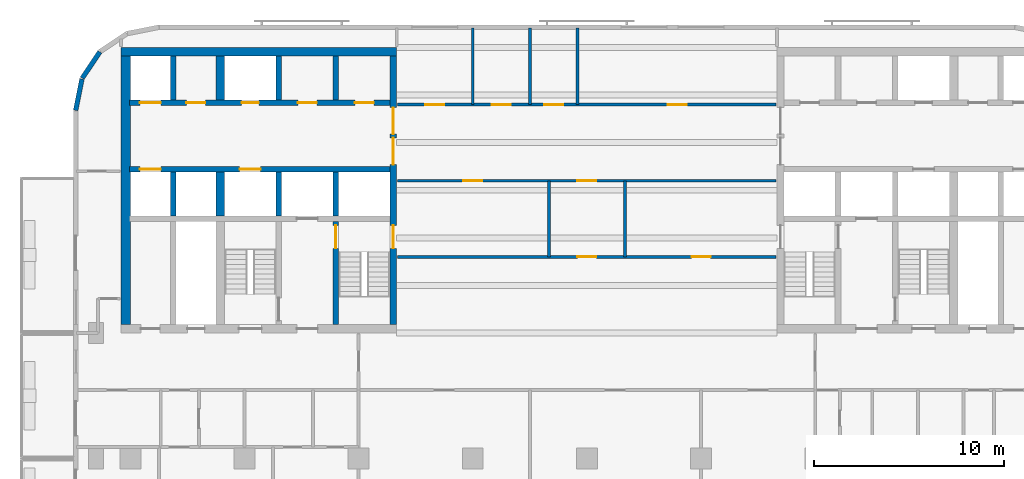
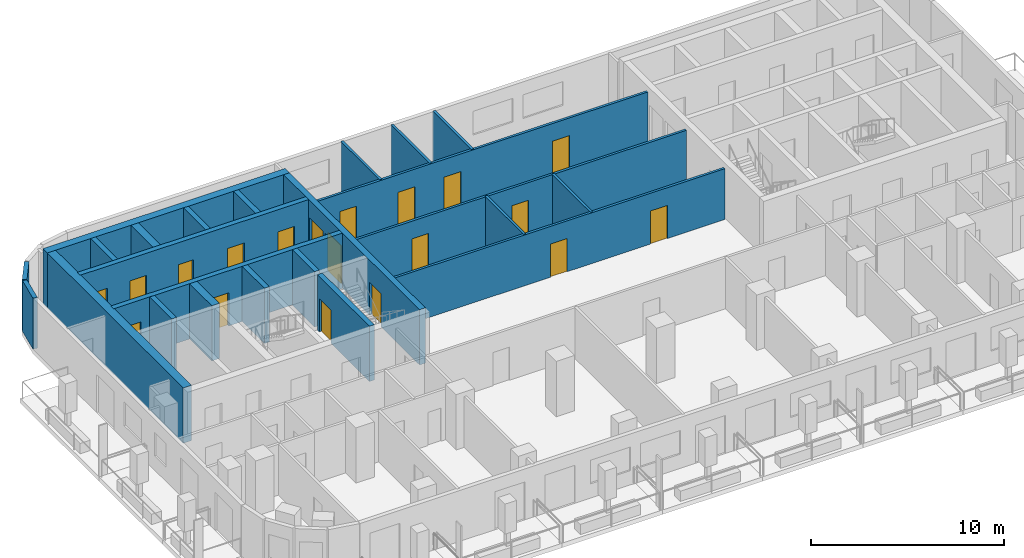
# One storey, part 4 of 11: 24 walls, 19 doors, 19 openings.
"""IFC4 building model written with IfcOpenShell, lengths in metres."""

from ifc_helpers import new_model, si_unit, direction, frame, frame_2d, origin, place, context, subcontext, project, spatial, rectangle, extrude, material, layer, layer_set, type_object, element, fill, save


model = new_model("IFC4")

# Units and contexts
model_context = context("Model", 3, precision=1e-05, world=origin(), true_north=direction((0.0, 1.0)))
body_context = subcontext(model_context, "Body", "Model", "MODEL_VIEW")
ifc_project = project(units=[si_unit("LENGTHUNIT", "METRE"), si_unit("AREAUNIT", "SQUARE_METRE"), si_unit("VOLUMEUNIT", "CUBIC_METRE"), si_unit("PLANEANGLEUNIT", "RADIAN"), si_unit("MASSUNIT", "GRAM", prefix="KILO")], contexts=[model_context])

# Site, building, storey
site_placement = place(None, origin())
site = spatial("IfcSite", under=ifc_project, at=site_placement, CompositionType="ELEMENT")
building_placement = place(site_placement, origin())
building = spatial("IfcBuilding", under=site, at=building_placement, Name="Torana Hotel and Residences", CompositionType="ELEMENT")
storey_placement = place(building_placement, frame((0.0, 0.0, 232.60009765625)))
storey = spatial("IfcBuildingStorey", under=building, at=storey_placement, Name="L61", CompositionType="ELEMENT", Elevation=232.60009765625)

# Wall, openings, doors
ifc_material_1 = material(Name="Concrete C70/85", Category="concrete")
ifc_layer_1 = layer(ifc_material_1, 0.300048828125)
ifc_layer_set_1 = layer_set([ifc_layer_1], Name="CORE WALL 300 C70/85")
wall_type_1 = type_object("IfcWallType", Name="CORE WALL 300 C70/85", PredefinedType="SHEAR", material=ifc_layer_set_1)
wall_1_placement = place(storey_placement, frame((-24.050048828125, -2.89990234375, 0.0), z_axis=(0.0, 0.0, 1.0), x_axis=(1.0, 0.0, 0.0)))
wall_1 = element("IfcWall", 1, at=wall_1_placement, inside=storey, type_object=wall_type_1, Name="Core wall W row-N", PredefinedType="SHEAR", context=body_context, shape_type="SweptSolid", body=[
    extrude(rectangle(XDim=13.699951171875, YDim=0.300048828125, at=frame_2d((6.85009765625, 0.0))), origin(), (0.0, 0.0, 1.0), 3.5),
])
opening_1_placement = place(wall_1_placement, frame((0.550048828125, 0.0, 0.0)))
opening_1 = element("IfcOpeningElement", 2, at=opening_1_placement, cuts=wall_1, Name="Opening LD", PredefinedType="OPENING", context=body_context, shape_type="SweptSolid", body=[
    extrude(rectangle(XDim=1.10009765625, YDim=2.10009765625, at=frame_2d((0.550048828125, 1.050048828125))), frame((0.0, 0.159912109375, 0.0), z_axis=(0.0, -1.0, 0.0), x_axis=(1.0, 0.0, 0.0)), (0.0, 0.0, 1.0), 0.320068359375),
])
opening_2_placement = place(wall_1_placement, frame((5.89990234375, 0.0, 0.0)))
opening_2 = element("IfcOpeningElement", 3, at=opening_2_placement, cuts=wall_1, Name="Opening L61-08", PredefinedType="OPENING", context=body_context, shape_type="SweptSolid", body=[
    extrude(rectangle(XDim=0.89990234375, YDim=2.10009765625, at=frame_2d((0.449951171875, 1.050048828125))), frame((0.0, 0.159912109375, 0.0), z_axis=(0.0, -1.0, 0.0), x_axis=(1.0, 0.0, 0.0)), (0.0, 0.0, 1.0), 0.320068359375),
])
opening_3_placement = place(wall_1_placement, frame((11.85009765625, 0.0, 0.0)))
opening_3 = element("IfcOpeningElement", 4, at=opening_3_placement, cuts=wall_1, Name="Opening L61-09", PredefinedType="OPENING", context=body_context, shape_type="SweptSolid", body=[
    extrude(rectangle(XDim=1.0, YDim=2.10009765625, at=frame_2d((0.5, 1.050048828125))), frame((0.0, 0.159912109375, 0.0), z_axis=(0.0, -1.0, 0.0), x_axis=(1.0, 0.0, 0.0)), (0.0, 0.0, 1.0), 0.320068359375),
])
opening_4_placement = place(wall_1_placement, frame((8.85009765625, 0.0, 0.0)))
opening_4 = element("IfcOpeningElement", 5, at=opening_4_placement, cuts=wall_1, Name="Opening L61-10", PredefinedType="OPENING", context=body_context, shape_type="SweptSolid", body=[
    extrude(rectangle(XDim=1.0, YDim=2.10009765625, at=frame_2d((0.5, 1.050048828125))), frame((0.0, 0.159912109375, 0.0), z_axis=(0.0, -1.0, 0.0), x_axis=(1.0, 0.0, 0.0)), (0.0, 0.0, 1.0), 0.320068359375),
])
opening_5_placement = place(wall_1_placement, frame((3.0, 0.0, 0.0)))
opening_5 = element("IfcOpeningElement", 6, at=opening_5_placement, cuts=wall_1, Name="Opening L61-11", PredefinedType="OPENING", context=body_context, shape_type="SweptSolid", body=[
    extrude(rectangle(XDim=1.0, YDim=2.10009765625, at=frame_2d((0.5, 1.050048828125))), frame((0.0, 0.159912109375, 0.0), z_axis=(0.0, -1.0, 0.0), x_axis=(1.0, 0.0, 0.0)), (0.0, 0.0, 1.0), 0.320068359375),
])
ifc_material_2 = material(Name="Steel S235", Category="steel")
door_type_1 = type_object("IfcDoorType", Name="CORE ROOM FIRE DOOR D14 1000x2100", OperationType="SINGLE_SWING_LEFT", PredefinedType="DOOR", material=ifc_material_2)
door_1_placement = place(opening_3_placement, origin())
door_1 = element("IfcDoor", 7, at=door_1_placement, inside=storey, type_object=door_type_1, Name="N0 door L61", OperationType="SINGLE_SWING_RIGHT", OverallHeight=2.10009765625, OverallWidth=1.0, PredefinedType="DOOR", context=body_context, shape_type="SweptSolid", body=[
    extrude(rectangle(XDim=1.0, YDim=2.10009765625, at=frame_2d((0.5, 1.050048828125))), frame((0.0, 0.02490234375, 0.0), z_axis=(0.0, -1.0, 0.0), x_axis=(1.0, 0.0, 0.0)), (0.0, 0.0, 1.0), 0.050048828125),
])
fill(opening_3, door_1)
door_2_placement = place(opening_4_placement, origin())
door_2 = element("IfcDoor", 8, at=door_2_placement, inside=storey, type_object=door_type_1, Name="N1 door L61", OperationType="SINGLE_SWING_RIGHT", OverallHeight=2.10009765625, OverallWidth=1.0, PredefinedType="DOOR", context=body_context, shape_type="SweptSolid", body=[
    extrude(rectangle(XDim=1.0, YDim=2.10009765625, at=frame_2d((0.5, 1.050048828125))), frame((0.0, 0.02490234375, 0.0), z_axis=(0.0, -1.0, 0.0), x_axis=(1.0, 0.0, 0.0)), (0.0, 0.0, 1.0), 0.050048828125),
])
fill(opening_4, door_2)
door_3_placement = place(opening_5_placement, origin())
door_3 = element("IfcDoor", 9, at=door_3_placement, inside=storey, type_object=door_type_1, Name="Freed-S1 door L61", OperationType="SINGLE_SWING_RIGHT", OverallHeight=2.10009765625, OverallWidth=1.0, PredefinedType="DOOR", context=body_context, shape_type="SweptSolid", body=[
    extrude(rectangle(XDim=1.0, YDim=2.10009765625, at=frame_2d((0.5, 1.050048828125))), frame((0.0, 0.02490234375, 0.0), z_axis=(0.0, -1.0, 0.0), x_axis=(1.0, 0.0, 0.0)), (0.0, 0.0, 1.0), 0.050048828125),
])
fill(opening_5, door_3)
ifc_material_3 = material(Name="Stainless steel 316", Category="steel")
door_type_2 = type_object("IfcDoorType", Name="LIFT LANDING DOOR LD 1100x2100", OperationType="DOUBLE_DOOR_SLIDING", PredefinedType="USERDEFINED", material=ifc_material_3)
door_4_placement = place(opening_1_placement, origin())
door_4 = element("IfcDoor", 10, at=door_4_placement, inside=storey, type_object=door_type_2, Name="Lift landing door M1 L61", ObjectType="LIFT LANDING DOOR", OperationType="DOUBLE_DOOR_SLIDING", OverallHeight=2.10009765625, OverallWidth=1.10009765625, PredefinedType="USERDEFINED", context=body_context, shape_type="SweptSolid", body=[
    extrude(rectangle(XDim=1.10009765625, YDim=2.10009765625, at=frame_2d((0.550048828125, 1.050048828125))), frame((0.0, 0.02490234375, 0.0), z_axis=(0.0, -1.0, 0.0), x_axis=(1.0, 0.0, 0.0)), (0.0, 0.0, 1.0), 0.050048828125),
])
fill(opening_1, door_4)
ifc_material_4 = material(Name="Steel S235", Category="steel")
door_type_3 = type_object("IfcDoorType", Name="RISER ACCESS DOOR D5 900x2100", OperationType="SINGLE_SWING_LEFT", PredefinedType="DOOR", material=ifc_material_4)
door_5_placement = place(opening_2_placement, origin())
door_5 = element("IfcDoor", 11, at=door_5_placement, inside=storey, type_object=door_type_3, Name="N2 door L61", OperationType="SINGLE_SWING_RIGHT", OverallHeight=2.10009765625, OverallWidth=0.89990234375, PredefinedType="DOOR", context=body_context, shape_type="SweptSolid", body=[
    extrude(rectangle(XDim=0.89990234375, YDim=2.10009765625, at=frame_2d((0.449951171875, 1.050048828125))), frame((0.0, 0.02490234375, 0.0), z_axis=(0.0, -1.0, 0.0), x_axis=(1.0, 0.0, 0.0)), (0.0, 0.0, 1.0), 0.050048828125),
])
fill(opening_2, door_5)

wall_2_placement = place(storey_placement, frame((-24.050048828125, -6.39990234375, 0.0), z_axis=(0.0, 0.0, 1.0), x_axis=(1.0, 0.0, 0.0)))
wall_2 = element("IfcWall", 12, at=wall_2_placement, inside=storey, type_object=wall_type_1, Name="Core wall W row-S", PredefinedType="SHEAR", context=body_context, shape_type="SweptSolid", body=[
    extrude(rectangle(XDim=13.699951171875, YDim=0.300048828125, at=frame_2d((6.85009765625, 0.0))), origin(), (0.0, 0.0, 1.0), 3.5),
])
opening_6_placement = place(wall_2_placement, frame((0.550048828125, 0.0, 0.0)))
opening_6 = element("IfcOpeningElement", 13, at=opening_6_placement, cuts=wall_2, Name="Opening LD", PredefinedType="OPENING", context=body_context, shape_type="SweptSolid", body=[
    extrude(rectangle(XDim=1.10009765625, YDim=2.10009765625, at=frame_2d((0.550048828125, 1.050048828125))), frame((0.0, 0.159912109375, 0.0), z_axis=(0.0, -1.0, 0.0), x_axis=(1.0, 0.0, 0.0)), (0.0, 0.0, 1.0), 0.320068359375),
])
opening_7_placement = place(wall_2_placement, frame((5.800048828125, 0.0, 0.0)))
opening_7 = element("IfcOpeningElement", 14, at=opening_7_placement, cuts=wall_2, Name="Opening LD", PredefinedType="OPENING", context=body_context, shape_type="SweptSolid", body=[
    extrude(rectangle(XDim=1.10009765625, YDim=2.10009765625, at=frame_2d((0.550048828125, 1.050048828125))), frame((0.0, 0.159912109375, 0.0), z_axis=(0.0, -1.0, 0.0), x_axis=(1.0, 0.0, 0.0)), (0.0, 0.0, 1.0), 0.320068359375),
])
door_6_placement = place(opening_6_placement, origin())
door_6 = element("IfcDoor", 15, at=door_6_placement, inside=storey, type_object=door_type_2, Name="Lift landing door M2 L61", ObjectType="LIFT LANDING DOOR", OperationType="DOUBLE_DOOR_SLIDING", OverallHeight=2.10009765625, OverallWidth=1.10009765625, PredefinedType="USERDEFINED", context=body_context, shape_type="SweptSolid", body=[
    extrude(rectangle(XDim=1.10009765625, YDim=2.10009765625, at=frame_2d((0.550048828125, 1.050048828125))), frame((0.0, 0.02490234375, 0.0), z_axis=(0.0, -1.0, 0.0), x_axis=(1.0, 0.0, 0.0)), (0.0, 0.0, 1.0), 0.050048828125),
])
fill(opening_6, door_6)
door_7_placement = place(opening_7_placement, origin())
door_7 = element("IfcDoor", 16, at=door_7_placement, inside=storey, type_object=door_type_2, Name="Lift landing door SV1 L61", ObjectType="LIFT LANDING DOOR", OperationType="DOUBLE_DOOR_SLIDING", OverallHeight=2.10009765625, OverallWidth=1.10009765625, PredefinedType="USERDEFINED", context=body_context, shape_type="SweptSolid", body=[
    extrude(rectangle(XDim=1.10009765625, YDim=2.10009765625, at=frame_2d((0.550048828125, 1.050048828125))), frame((0.0, 0.02490234375, 0.0), z_axis=(0.0, -1.0, 0.0), x_axis=(1.0, 0.0, 0.0)), (0.0, 0.0, 1.0), 0.050048828125),
])
fill(opening_7, door_7)

# Walls
for number, where, z_axis, x_axis, name in (
    (17, (-13.199951171875, -2.75, 0.0), (0.0, 0.0, 1.0), (0.0, 1.0, 0.0), "Core wall W x3.05-N"),
    (18, (-13.199951171875, -8.85009765625, 0.0), (0.0, 0.0, 1.0), (0.0, 1.0, 0.0), "Core wall W x3.05-S"),
):
    element("IfcWall", number, at=place(storey_placement, frame(where, z_axis=z_axis, x_axis=x_axis)), inside=storey, type_object=wall_type_1, Name=name, PredefinedType="SHEAR", context=body_context, shape_type="SweptSolid", body=[
        extrude(rectangle(XDim=2.300048828125, YDim=0.300048828125, at=frame_2d((1.14990234375, 0.0))), origin(), (0.0, 0.0, 1.0), 3.5),
    ])

# Wall, opening, door
wall_3_placement = place(storey_placement, frame((-13.199951171875, -14.550048828125, 0.0), z_axis=(0.0, 0.0, 1.0), x_axis=(0.0, 1.0, 0.0)))
wall_3 = element("IfcWall", 19, at=wall_3_placement, inside=storey, type_object=wall_type_1, Name="Core wall W x3.05-band", PredefinedType="SHEAR", context=body_context, shape_type="SweptSolid", body=[
    extrude(rectangle(XDim=5.400146484375, YDim=0.300048828125, at=frame_2d((2.7001953125, 0.0))), origin(), (0.0, 0.0, 1.0), 3.5),
])
opening_8_placement = place(wall_3_placement, frame((4.0, 0.0, 0.0)))
opening_8 = element("IfcOpeningElement", 20, at=opening_8_placement, cuts=wall_3, Name="Opening L61-12", PredefinedType="OPENING", context=body_context, shape_type="SweptSolid", body=[
    extrude(rectangle(XDim=1.199951171875, YDim=2.10009765625, at=frame_2d((0.60009765625, 1.050048828125))), frame((0.0, 0.159912109375, 0.0), z_axis=(0.0, -1.0, 0.0), x_axis=(1.0, 0.0, 0.0)), (0.0, 0.0, 1.0), 0.320068359375),
])
ifc_material_5 = material(Name="Steel S235", Category="steel")
door_type_4 = type_object("IfcDoorType", Name="STAIR FIRE DOOR D3 1200x2100", OperationType="SINGLE_SWING_LEFT", PredefinedType="DOOR", material=ifc_material_5)
door_8_placement = place(opening_8_placement, frame((0.60009765625, 0.0, 0.0), z_axis=(0.0, 0.0, 1.0), x_axis=(-1.0, 0.0, 0.0)))
door_8 = element("IfcDoor", 21, at=door_8_placement, inside=storey, type_object=door_type_4, Name="Stair-A-lobby door L61", OperationType="SINGLE_SWING_RIGHT", OverallHeight=2.10009765625, OverallWidth=1.199951171875, PredefinedType="DOOR", context=body_context, shape_type="SweptSolid", body=[
    extrude(rectangle(XDim=1.199951171875, YDim=2.10009765625, at=frame_2d((0.0, 1.050048828125))), frame((0.0, -0.02490234375, 0.0), z_axis=(0.0, 1.0, 0.0), x_axis=(-1.0, 0.0, 0.0)), (0.0, 0.0, 1.0), 0.050048828125),
])
fill(opening_8, door_8)

# Walls
for number, where, z_axis, x_axis, name in (
    (22, (-16.199951171875, -2.75, 0.0), (0.0, 0.0, 1.0), (0.0, 1.0, 0.0), "Core wall W x6.05-N"),
    (23, (-16.199951171875, -8.85009765625, 0.0), (0.0, 0.0, 1.0), (0.0, 1.0, 0.0), "Core wall W x6.05-S"),
    (24, (-21.75, -2.75, 0.0), (0.0, 0.0, 1.0), (0.0, 1.0, 0.0), "Core wall W mm-N"),
    (25, (-21.75, -8.85009765625, 0.0), (0.0, 0.0, 1.0), (0.0, 1.0, 0.0), "Core wall W mm-S"),
):
    element("IfcWall", number, at=place(storey_placement, frame(where, z_axis=z_axis, x_axis=x_axis)), inside=storey, type_object=wall_type_1, Name=name, PredefinedType="SHEAR", context=body_context, shape_type="SweptSolid", body=[
        extrude(rectangle(XDim=2.300048828125, YDim=0.300048828125, at=frame_2d((1.14990234375, 0.0))), origin(), (0.0, 0.0, 1.0), 3.5),
    ])

# Wall, openings, doors
ifc_material_6 = material(Name="Concrete C70/85", Category="concrete")
ifc_layer_2 = layer(ifc_material_6, 0.35009765625)
ifc_layer_set_2 = layer_set([ifc_layer_2], Name="CORE WALL 350 C70/85")
wall_type_2 = type_object("IfcWallType", Name="CORE WALL 350 C70/85", PredefinedType="SHEAR", material=ifc_layer_set_2)
wall_4_placement = place(storey_placement, frame((-10.175048828125, -14.550048828125, 0.0), z_axis=(0.0, 0.0, 1.0), x_axis=(0.0, 1.0, 0.0)))
wall_4 = element("IfcWall", 26, at=wall_4_placement, inside=storey, type_object=wall_type_2, Name="Core wall W arch", PredefinedType="SHEAR", context=body_context, shape_type="SweptSolid", body=[
    extrude(rectangle(XDim=14.10009765625, YDim=0.35009765625, at=frame_2d((7.050048828125, 0.0))), origin(), (0.0, 0.0, 1.0), 3.5),
])
opening_9_placement = place(wall_4_placement, frame((8.39990234375, 0.0, 0.0)))
opening_9 = element("IfcOpeningElement", 27, at=opening_9_placement, cuts=wall_4, Name="Opening L61-01", PredefinedType="OPENING", context=body_context, shape_type="SweptSolid", body=[
    extrude(rectangle(XDim=1.39990234375, YDim=2.39990234375, at=frame_2d((0.699951171875, 1.199951171875))), frame((0.0, 0.18505859375, 0.0), z_axis=(0.0, -1.0, 0.0), x_axis=(1.0, 0.0, 0.0)), (0.0, 0.0, 1.0), 0.3701171875),
])
opening_10_placement = place(wall_4_placement, frame((10.0, 0.0, 0.0)))
opening_10 = element("IfcOpeningElement", 28, at=opening_10_placement, cuts=wall_4, Name="Opening L61-02", PredefinedType="OPENING", context=body_context, shape_type="SweptSolid", body=[
    extrude(rectangle(XDim=1.39990234375, YDim=2.39990234375, at=frame_2d((0.699951171875, 1.199951171875))), frame((0.0, 0.18505859375, 0.0), z_axis=(0.0, -1.0, 0.0), x_axis=(1.0, 0.0, 0.0)), (0.0, 0.0, 1.0), 0.3701171875),
])
opening_11_placement = place(wall_4_placement, frame((4.0, 0.0, 0.0)))
opening_11 = element("IfcOpeningElement", 29, at=opening_11_placement, cuts=wall_4, Name="Opening L61-03", PredefinedType="OPENING", context=body_context, shape_type="SweptSolid", body=[
    extrude(rectangle(XDim=1.199951171875, YDim=2.10009765625, at=frame_2d((0.60009765625, 1.050048828125))), frame((0.0, 0.18505859375, 0.0), z_axis=(0.0, -1.0, 0.0), x_axis=(1.0, 0.0, 0.0)), (0.0, 0.0, 1.0), 0.3701171875),
])
ifc_material_7 = material(Name="Steel S235", Category="steel")
door_type_5 = type_object("IfcDoorType", Name="LOBBY FIRE DOOR D4 1400x2400", OperationType="DOUBLE_DOOR_SINGLE_SWING", PredefinedType="DOOR", material=ifc_material_7)
door_9_placement = place(opening_9_placement, origin())
door_9 = element("IfcDoor", 30, at=door_9_placement, inside=storey, type_object=door_type_5, Name="Lobby-1 door L61", OperationType="DOUBLE_DOOR_SINGLE_SWING", OverallHeight=2.39990234375, OverallWidth=1.39990234375, PredefinedType="DOOR", context=body_context, shape_type="SweptSolid", body=[
    extrude(rectangle(XDim=1.39990234375, YDim=2.39990234375, at=frame_2d((0.699951171875, 1.199951171875))), frame((0.0, 0.02490234375, 0.0), z_axis=(0.0, -1.0, 0.0), x_axis=(1.0, 0.0, 0.0)), (0.0, 0.0, 1.0), 0.050048828125),
])
fill(opening_9, door_9)
door_10_placement = place(opening_10_placement, origin())
door_10 = element("IfcDoor", 31, at=door_10_placement, inside=storey, type_object=door_type_5, Name="Lobby-2 door L61", OperationType="DOUBLE_DOOR_SINGLE_SWING", OverallHeight=2.39990234375, OverallWidth=1.39990234375, PredefinedType="DOOR", context=body_context, shape_type="SweptSolid", body=[
    extrude(rectangle(XDim=1.39990234375, YDim=2.39990234375, at=frame_2d((0.699951171875, 1.199951171875))), frame((0.0, 0.02490234375, 0.0), z_axis=(0.0, -1.0, 0.0), x_axis=(1.0, 0.0, 0.0)), (0.0, 0.0, 1.0), 0.050048828125),
])
fill(opening_10, door_10)
door_11_placement = place(opening_11_placement, origin())
door_11 = element("IfcDoor", 32, at=door_11_placement, inside=storey, type_object=door_type_4, Name="Stair-A door L61", OperationType="SINGLE_SWING_LEFT", OverallHeight=2.10009765625, OverallWidth=1.199951171875, PredefinedType="DOOR", context=body_context, shape_type="SweptSolid", body=[
    extrude(rectangle(XDim=1.199951171875, YDim=2.10009765625, at=frame_2d((0.60009765625, 1.050048828125))), frame((0.0, 0.02490234375, 0.0), z_axis=(0.0, -1.0, 0.0), x_axis=(1.0, 0.0, 0.0)), (0.0, 0.0, 1.0), 0.050048828125),
])
fill(opening_11, door_11)

# Walls
ifc_material_8 = material(Name="Concrete C70/85", Category="concrete")
ifc_layer_3 = layer(ifc_material_8, 0.449951171875)
ifc_layer_set_3 = layer_set([ifc_layer_3], Name="CORE WALL 450 C70/85")
wall_type_3 = type_object("IfcWallType", Name="CORE WALL 450 C70/85", PredefinedType="SHEAR", material=ifc_layer_set_3)
wall_5_placement = place(storey_placement, frame((-24.5, -0.22509765625, 0.0), z_axis=(0.0, 0.0, 1.0), x_axis=(1.0, 0.0, 0.0)))
element("IfcWall", 33, at=wall_5_placement, inside=storey, type_object=wall_type_3, Name="Core wall W rear", PredefinedType="SHEAR", context=body_context, shape_type="SweptSolid", body=[
    extrude(rectangle(XDim=14.5, YDim=0.449951171875, at=frame_2d((7.25, 0.0))), origin(), (0.0, 0.0, 1.0), 3.5),
])
for number, where, z_axis, x_axis, name in (
    (34, (-19.27490234375, -2.75, 0.0), (0.0, 0.0, 1.0), (0.0, 1.0, 0.0), "Core wall W hm-N"),
    (35, (-19.27490234375, -8.85009765625, 0.0), (0.0, 0.0, 1.0), (0.0, 1.0, 0.0), "Core wall W hm-S"),
):
    element("IfcWall", number, at=place(storey_placement, frame(where, z_axis=z_axis, x_axis=x_axis)), inside=storey, type_object=wall_type_3, Name=name, PredefinedType="SHEAR", context=body_context, shape_type="SweptSolid", body=[
        extrude(rectangle(XDim=2.300048828125, YDim=0.449951171875, at=frame_2d((1.14990234375, 0.0))), origin(), (0.0, 0.0, 1.0), 3.5),
    ])
ifc_material_9 = material(Name="Concrete C70/85", Category="concrete")
ifc_layer_4 = layer(ifc_material_9, 0.5)
ifc_layer_set_4 = layer_set([ifc_layer_4], Name="CORE WALL 500 C70/85")
wall_type_4 = type_object("IfcWallType", Name="CORE WALL 500 C70/85", PredefinedType="SHEAR", material=ifc_layer_set_4)
wall_6_placement = place(storey_placement, frame((-24.25, -14.550048828125, 0.0), z_axis=(0.0, 0.0, 1.0), x_axis=(0.0, 1.0, 0.0)))
element("IfcWall", 36, at=wall_6_placement, inside=storey, type_object=wall_type_4, Name="Core wall W outer", PredefinedType="SHEAR", context=body_context, shape_type="SweptSolid", body=[
    extrude(rectangle(XDim=14.10009765625, YDim=0.5, at=frame_2d((7.050048828125, 0.0))), origin(), (0.0, 0.0, 1.0), 3.5),
])
ifc_material_10 = material(Name="Black aluminium composite panel", Category="aluminium")
ifc_layer_5 = layer(ifc_material_10, 0.00390625, Name="Cladding", Category="cladding")
ifc_material_11 = material(Name="Ventilated air cavity")
ifc_layer_6 = layer(ifc_material_11, 0.0400390625, Name="Ventilated cavity", Category="cavity")
ifc_material_12 = material(Name="Mineral wool insulation")
ifc_layer_7 = layer(ifc_material_12, 0.090087890625, Name="Insulation", Category="insulation")
ifc_material_13 = material(Name="Steel S280GD", Category="steel")
ifc_layer_8 = layer(ifc_material_13, 0.092041015625, Name="Steel stud frame", Category="structure")
ifc_material_14 = material(Name="Fire rated plasterboard")
ifc_layer_9 = layer(ifc_material_14, 0.011962890625, Name="Inner board", Category="finish")
ifc_layer_10 = layer(ifc_material_14, 0.011962890625, Name="Second board", Category="finish")
ifc_layer_set_5 = layer_set([ifc_layer_5, ifc_layer_6, ifc_layer_7, ifc_layer_8, ifc_layer_9, ifc_layer_10], Name="EW1 EXTERNAL WALL BLACK METAL CLAD 250")
wall_type_5 = type_object("IfcWallType", Name="EW1 EXTERNAL WALL BLACK METAL CLAD 250", PredefinedType="SOLIDWALL", material=ifc_layer_set_5)
wall_7_placement = place(storey_placement, frame((-25.605712890625, -0.228759765625, 0.0), z_axis=(0.0, 0.0, 1.0), x_axis=(-0.55555029066, -0.831482937015, 0.0)))
element("IfcWall", 37, at=wall_7_placement, inside=storey, type_object=wall_type_5, Name="External wall L61 e0.7", PredefinedType="SOLIDWALL", context=body_context, shape_type="SweptSolid", body=[
    extrude(rectangle(XDim=1.65625, YDim=0.25, at=frame_2d((0.828125, 0.0))), origin(), (0.0, 0.0, 1.0), 3.219970703125),
])
wall_8_placement = place(storey_placement, frame((-26.544677734375, -1.651123046875, 0.0), z_axis=(0.0, 0.0, 1.0), x_axis=(-0.194999110559, -0.980803419081, 0.0)))
element("IfcWall", 38, at=wall_8_placement, inside=storey, type_object=wall_type_5, Name="External wall L61 e0.8", PredefinedType="SOLIDWALL", context=body_context, shape_type="SweptSolid", body=[
    extrude(rectangle(XDim=1.681396484375, YDim=0.25, at=frame_2d((0.8408203125, 0.0))), origin(), (0.0, 0.0, 1.0), 3.219970703125),
])
ifc_material_15 = material(Name="Gypsum plaster")
ifc_layer_11 = layer(ifc_material_15, 0.014892578125, Name="Plaster", Category="finish")
ifc_material_16 = material(Name="Concrete blockwork", Category="masonry")
ifc_layer_12 = layer(ifc_material_16, 0.1201171875, Name="Blockwork", Category="structure")
ifc_layer_13 = layer(ifc_material_15, 0.014892578125, Name="Plaster", Category="finish")
ifc_layer_set_6 = layer_set([ifc_layer_11, ifc_layer_12, ifc_layer_13], Name="FIRE PARTITION 150 BLOCKWORK")
wall_type_6 = type_object("IfcWallType", Name="FIRE PARTITION 150 BLOCKWORK", PredefinedType="PARTITIONING", material=ifc_layer_set_6)
for number, where, z_axis, x_axis, name in (
    (39, (2.0, -11.0, 0.0), (0.0, 0.0, 1.0), (0.0, 1.0, 0.0), "Partition L61"),
    (40, (-2.0, -11.0, 0.0), (0.0, 0.0, 1.0), (0.0, 1.0, 0.0), "Partition L61"),
):
    element("IfcWall", number, at=place(storey_placement, frame(where, z_axis=z_axis, x_axis=x_axis)), inside=storey, type_object=wall_type_6, Name=name, PredefinedType="PARTITIONING", context=body_context, shape_type="SweptSolid", body=[
        extrude(rectangle(XDim=4.0, YDim=0.14990234375, at=frame_2d((2.0, 0.0))), origin(), (0.0, 0.0, 1.0), 3.219970703125),
    ])

# Wall, openings, doors
wall_9_placement = place(storey_placement, frame((-9.949951171875, -11.0, 0.0), z_axis=(0.0, 0.0, 1.0), x_axis=(1.0, 0.0, 0.0)))
wall_9 = element("IfcWall", 41, at=wall_9_placement, inside=storey, type_object=wall_type_6, Name="Partition L61", PredefinedType="PARTITIONING", context=body_context, shape_type="SweptSolid", body=[
    extrude(rectangle(XDim=19.89990234375, YDim=0.14990234375, at=frame_2d((9.949951171875, 0.0))), origin(), (0.0, 0.0, 1.0), 3.219970703125),
])
opening_12_placement = place(wall_9_placement, frame((9.449951171875, 0.0, 0.0)))
opening_12 = element("IfcOpeningElement", 42, at=opening_12_placement, cuts=wall_9, Name="Opening L61-36", PredefinedType="OPENING", context=body_context, shape_type="SweptSolid", body=[
    extrude(rectangle(XDim=1.0, YDim=2.10009765625, at=frame_2d((0.5, 1.050048828125))), frame((0.0, 0.0849609375, 0.0), z_axis=(0.0, -1.0, 0.0), x_axis=(1.0, 0.0, 0.0)), (0.0, 0.0, 1.0), 0.169921875),
])
opening_13_placement = place(wall_9_placement, frame((15.449951171875, 0.0, 0.0)))
opening_13 = element("IfcOpeningElement", 43, at=opening_13_placement, cuts=wall_9, Name="Opening L61-40", PredefinedType="OPENING", context=body_context, shape_type="SweptSolid", body=[
    extrude(rectangle(XDim=1.0, YDim=2.10009765625, at=frame_2d((0.5, 1.050048828125))), frame((0.0, 0.0849609375, 0.0), z_axis=(0.0, -1.0, 0.0), x_axis=(1.0, 0.0, 0.0)), (0.0, 0.0, 1.0), 0.169921875),
])
ifc_material_17 = material(Name="Steel S235", Category="steel")
door_type_6 = type_object("IfcDoorType", Name="ENTRY FIRE DOOR D6 1000x2100", OperationType="SINGLE_SWING_LEFT", PredefinedType="DOOR", material=ifc_material_17)
door_12_placement = place(opening_12_placement, origin())
door_12 = element("IfcDoor", 44, at=door_12_placement, inside=storey, type_object=door_type_6, Name="Door L61", OperationType="SINGLE_SWING_RIGHT", OverallHeight=2.10009765625, OverallWidth=1.0, PredefinedType="DOOR", context=body_context, shape_type="SweptSolid", body=[
    extrude(rectangle(XDim=1.0, YDim=2.10009765625, at=frame_2d((0.5, 1.050048828125))), frame((0.0, 0.02490234375, 0.0), z_axis=(0.0, -1.0, 0.0), x_axis=(1.0, 0.0, 0.0)), (0.0, 0.0, 1.0), 0.050048828125),
])
fill(opening_12, door_12)
door_13_placement = place(opening_13_placement, origin())
door_13 = element("IfcDoor", 45, at=door_13_placement, inside=storey, type_object=door_type_6, Name="Door L61", OperationType="SINGLE_SWING_RIGHT", OverallHeight=2.10009765625, OverallWidth=1.0, PredefinedType="DOOR", context=body_context, shape_type="SweptSolid", body=[
    extrude(rectangle(XDim=1.0, YDim=2.10009765625, at=frame_2d((0.5, 1.050048828125))), frame((0.0, 0.02490234375, 0.0), z_axis=(0.0, -1.0, 0.0), x_axis=(1.0, 0.0, 0.0)), (0.0, 0.0, 1.0), 0.050048828125),
])
fill(opening_13, door_13)

wall_10_placement = place(storey_placement, frame((-9.949951171875, -7.0, 0.0), z_axis=(0.0, 0.0, 1.0), x_axis=(1.0, 0.0, 0.0)))
wall_10 = element("IfcWall", 46, at=wall_10_placement, inside=storey, type_object=wall_type_6, Name="Partition L61", PredefinedType="PARTITIONING", context=body_context, shape_type="SweptSolid", body=[
    extrude(rectangle(XDim=19.89990234375, YDim=0.14990234375, at=frame_2d((9.949951171875, 0.0))), origin(), (0.0, 0.0, 1.0), 3.219970703125),
])
opening_14_placement = place(wall_10_placement, frame((9.449951171875, 0.0, 0.0)))
opening_14 = element("IfcOpeningElement", 47, at=opening_14_placement, cuts=wall_10, Name="Opening L61-41", PredefinedType="OPENING", context=body_context, shape_type="SweptSolid", body=[
    extrude(rectangle(XDim=1.0, YDim=2.10009765625, at=frame_2d((0.5, 1.050048828125))), frame((0.0, 0.0849609375, 0.0), z_axis=(0.0, -1.0, 0.0), x_axis=(1.0, 0.0, 0.0)), (0.0, 0.0, 1.0), 0.169921875),
])
opening_15_placement = place(wall_10_placement, frame((3.449951171875, 0.0, 0.0)))
opening_15 = element("IfcOpeningElement", 48, at=opening_15_placement, cuts=wall_10, Name="Opening L61-42", PredefinedType="OPENING", context=body_context, shape_type="SweptSolid", body=[
    extrude(rectangle(XDim=1.0, YDim=2.10009765625, at=frame_2d((0.5, 1.050048828125))), frame((0.0, 0.0849609375, 0.0), z_axis=(0.0, -1.0, 0.0), x_axis=(1.0, 0.0, 0.0)), (0.0, 0.0, 1.0), 0.169921875),
])
door_14_placement = place(opening_14_placement, origin())
door_14 = element("IfcDoor", 49, at=door_14_placement, inside=storey, type_object=door_type_6, Name="Door L61", OperationType="SINGLE_SWING_RIGHT", OverallHeight=2.10009765625, OverallWidth=1.0, PredefinedType="DOOR", context=body_context, shape_type="SweptSolid", body=[
    extrude(rectangle(XDim=1.0, YDim=2.10009765625, at=frame_2d((0.5, 1.050048828125))), frame((0.0, 0.02490234375, 0.0), z_axis=(0.0, -1.0, 0.0), x_axis=(1.0, 0.0, 0.0)), (0.0, 0.0, 1.0), 0.050048828125),
])
fill(opening_14, door_14)
door_15_placement = place(opening_15_placement, frame((0.5, 0.0, 0.0), z_axis=(0.0, 0.0, 1.0), x_axis=(-1.0, 0.0, 0.0)))
door_15 = element("IfcDoor", 50, at=door_15_placement, inside=storey, type_object=door_type_6, Name="Door L61", OperationType="SINGLE_SWING_LEFT", OverallHeight=2.10009765625, OverallWidth=1.0, PredefinedType="DOOR", context=body_context, shape_type="SweptSolid", body=[
    extrude(rectangle(XDim=1.0, YDim=2.10009765625, at=frame_2d((0.0, 1.050048828125))), frame((0.0, -0.02490234375, 0.0), z_axis=(0.0, 1.0, 0.0), x_axis=(-1.0, 0.0, 0.0)), (0.0, 0.0, 1.0), 0.050048828125),
])
fill(opening_15, door_15)

wall_11_placement = place(storey_placement, frame((-9.949951171875, -3.0, 0.0), z_axis=(0.0, 0.0, 1.0), x_axis=(1.0, 0.0, 0.0)))
wall_11 = element("IfcWall", 51, at=wall_11_placement, inside=storey, type_object=wall_type_6, Name="Partition L61", PredefinedType="PARTITIONING", context=body_context, shape_type="SweptSolid", body=[
    extrude(rectangle(XDim=19.89990234375, YDim=0.14990234375, at=frame_2d((9.949951171875, 0.0))), origin(), (0.0, 0.0, 1.0), 3.219970703125),
])
opening_16_placement = place(wall_11_placement, frame((1.449951171875, 0.0, 0.0)))
opening_16 = element("IfcOpeningElement", 52, at=opening_16_placement, cuts=wall_11, Name="Opening L61-43", PredefinedType="OPENING", context=body_context, shape_type="SweptSolid", body=[
    extrude(rectangle(XDim=1.0, YDim=2.10009765625, at=frame_2d((0.5, 1.050048828125))), frame((0.0, 0.0849609375, 0.0), z_axis=(0.0, -1.0, 0.0), x_axis=(1.0, 0.0, 0.0)), (0.0, 0.0, 1.0), 0.169921875),
])
opening_17_placement = place(wall_11_placement, frame((4.949951171875, 0.0, 0.0)))
opening_17 = element("IfcOpeningElement", 53, at=opening_17_placement, cuts=wall_11, Name="Opening L61-44", PredefinedType="OPENING", context=body_context, shape_type="SweptSolid", body=[
    extrude(rectangle(XDim=1.0, YDim=2.10009765625, at=frame_2d((0.5, 1.050048828125))), frame((0.0, 0.0849609375, 0.0), z_axis=(0.0, -1.0, 0.0), x_axis=(1.0, 0.0, 0.0)), (0.0, 0.0, 1.0), 0.169921875),
])
opening_18_placement = place(wall_11_placement, frame((7.699951171875, 0.0, 0.0)))
opening_18 = element("IfcOpeningElement", 54, at=opening_18_placement, cuts=wall_11, Name="Opening L61-45", PredefinedType="OPENING", context=body_context, shape_type="SweptSolid", body=[
    extrude(rectangle(XDim=1.0, YDim=2.10009765625, at=frame_2d((0.5, 1.050048828125))), frame((0.0, 0.0849609375, 0.0), z_axis=(0.0, -1.0, 0.0), x_axis=(1.0, 0.0, 0.0)), (0.0, 0.0, 1.0), 0.169921875),
])
opening_19_placement = place(wall_11_placement, frame((14.199951171875, 0.0, 0.0)))
opening_19 = element("IfcOpeningElement", 55, at=opening_19_placement, cuts=wall_11, Name="Opening L61-46", PredefinedType="OPENING", context=body_context, shape_type="SweptSolid", body=[
    extrude(rectangle(XDim=1.0, YDim=2.10009765625, at=frame_2d((0.5, 1.050048828125))), frame((0.0, 0.0849609375, 0.0), z_axis=(0.0, -1.0, 0.0), x_axis=(1.0, 0.0, 0.0)), (0.0, 0.0, 1.0), 0.169921875),
])
door_16_placement = place(opening_16_placement, origin())
door_16 = element("IfcDoor", 56, at=door_16_placement, inside=storey, type_object=door_type_6, Name="Door L61", OperationType="SINGLE_SWING_RIGHT", OverallHeight=2.10009765625, OverallWidth=1.0, PredefinedType="DOOR", context=body_context, shape_type="SweptSolid", body=[
    extrude(rectangle(XDim=1.0, YDim=2.10009765625, at=frame_2d((0.5, 1.050048828125))), frame((0.0, 0.02490234375, 0.0), z_axis=(0.0, -1.0, 0.0), x_axis=(1.0, 0.0, 0.0)), (0.0, 0.0, 1.0), 0.050048828125),
])
fill(opening_16, door_16)
door_17_placement = place(opening_17_placement, origin())
door_17 = element("IfcDoor", 57, at=door_17_placement, inside=storey, type_object=door_type_6, Name="Door L61", OperationType="SINGLE_SWING_RIGHT", OverallHeight=2.10009765625, OverallWidth=1.0, PredefinedType="DOOR", context=body_context, shape_type="SweptSolid", body=[
    extrude(rectangle(XDim=1.0, YDim=2.10009765625, at=frame_2d((0.5, 1.050048828125))), frame((0.0, 0.02490234375, 0.0), z_axis=(0.0, -1.0, 0.0), x_axis=(1.0, 0.0, 0.0)), (0.0, 0.0, 1.0), 0.050048828125),
])
fill(opening_17, door_17)
door_18_placement = place(opening_18_placement, origin())
door_18 = element("IfcDoor", 58, at=door_18_placement, inside=storey, type_object=door_type_6, Name="Door L61", OperationType="SINGLE_SWING_RIGHT", OverallHeight=2.10009765625, OverallWidth=1.0, PredefinedType="DOOR", context=body_context, shape_type="SweptSolid", body=[
    extrude(rectangle(XDim=1.0, YDim=2.10009765625, at=frame_2d((0.5, 1.050048828125))), frame((0.0, 0.02490234375, 0.0), z_axis=(0.0, -1.0, 0.0), x_axis=(1.0, 0.0, 0.0)), (0.0, 0.0, 1.0), 0.050048828125),
])
fill(opening_18, door_18)
door_19_placement = place(opening_19_placement, origin())
door_19 = element("IfcDoor", 59, at=door_19_placement, inside=storey, type_object=door_type_6, Name="Door L61", OperationType="SINGLE_SWING_RIGHT", OverallHeight=2.10009765625, OverallWidth=1.0, PredefinedType="DOOR", context=body_context, shape_type="SweptSolid", body=[
    extrude(rectangle(XDim=1.0, YDim=2.10009765625, at=frame_2d((0.5, 1.050048828125))), frame((0.0, 0.02490234375, 0.0), z_axis=(0.0, -1.0, 0.0), x_axis=(1.0, 0.0, 0.0)), (0.0, 0.0, 1.0), 0.050048828125),
])
fill(opening_19, door_19)

# Walls
ifc_material_18 = material(Name="Ceramic tile on adhesive")
ifc_layer_14 = layer(ifc_material_18, 0.010009765625, Name="Wall tile", Category="finish")
ifc_material_19 = material(Name="Cement render")
ifc_layer_15 = layer(ifc_material_19, 0.010009765625, Name="Render", Category="finish")
ifc_layer_16 = layer(ifc_material_16, 0.110107421875, Name="Blockwork", Category="structure")
ifc_layer_17 = layer(ifc_material_19, 0.010009765625, Name="Render", Category="finish")
ifc_layer_18 = layer(ifc_material_18, 0.010009765625, Name="Wall tile", Category="finish")
ifc_layer_set_7 = layer_set([ifc_layer_14, ifc_layer_15, ifc_layer_16, ifc_layer_17, ifc_layer_18], Name="WC PARTITION 150")
wall_type_7 = type_object("IfcWallType", Name="WC PARTITION 150", PredefinedType="PLUMBINGWALL", material=ifc_layer_set_7)
for number, where, z_axis, x_axis, name in (
    (60, (-0.5, -3.0, 0.0), (0.0, 0.0, 1.0), (0.0, 1.0, 0.0), "Partition L61"),
    (61, (-3.0, -3.0, 0.0), (0.0, 0.0, 1.0), (0.0, 1.0, 0.0), "Partition L61"),
    (62, (-6.0, -3.0, 0.0), (0.0, 0.0, 1.0), (0.0, 1.0, 0.0), "Partition L61"),
):
    element("IfcWall", number, at=place(storey_placement, frame(where, z_axis=z_axis, x_axis=x_axis)), inside=storey, type_object=wall_type_7, Name=name, PredefinedType="PLUMBINGWALL", context=body_context, shape_type="SweptSolid", body=[
        extrude(rectangle(XDim=4.02001953125, YDim=0.14990234375, at=frame_2d((2.010009765625, 0.0))), origin(), (0.0, 0.0, 1.0), 3.219970703125),
    ])

save(model, "model.ifc")
